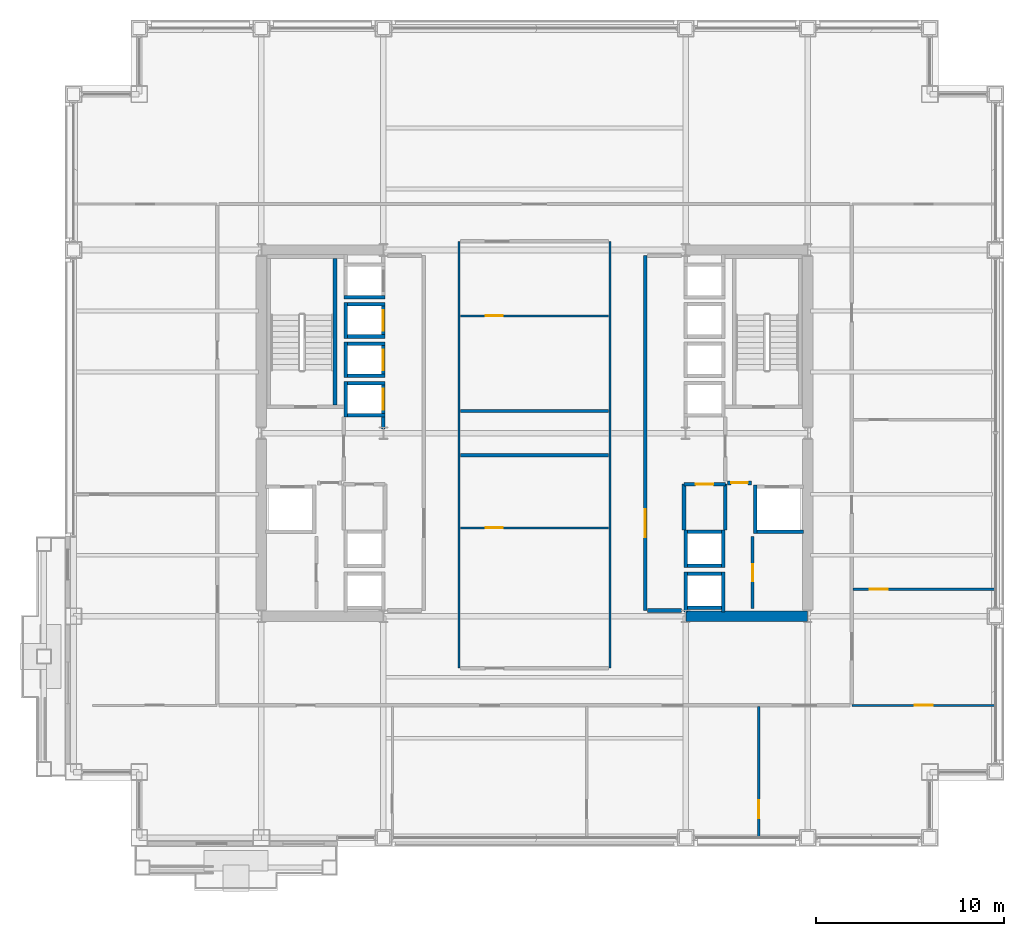
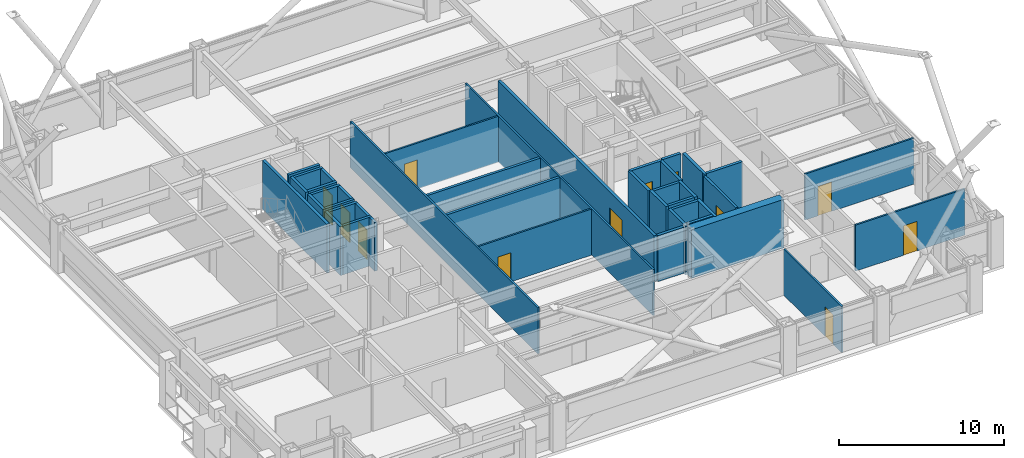
# One storey, part 26 of 30: 41 walls, 12 doors, 12 openings.
"""IFC4 building model written with IfcOpenShell, lengths in metres."""

from ifc_helpers import new_model, si_unit, direction, frame, frame_2d, origin, place, context, subcontext, project, spatial, rectangle, extrude, material, layer, layer_set, type_object, element, fill, save


model = new_model("IFC4")

# Units and contexts
model_context = context("Model", 3, precision=1e-05, world=origin(), true_north=direction((0.0, 1.0)))
body_context = subcontext(model_context, "Body", "Model", "MODEL_VIEW")
ifc_project = project(units=[si_unit("LENGTHUNIT", "METRE"), si_unit("AREAUNIT", "SQUARE_METRE"), si_unit("VOLUMEUNIT", "CUBIC_METRE"), si_unit("PLANEANGLEUNIT", "RADIAN"), si_unit("MASSUNIT", "GRAM", prefix="KILO")], contexts=[model_context])

# Site, building, storey
site_placement = place(None, origin())
site = spatial("IfcSite", under=ifc_project, at=site_placement, CompositionType="ELEMENT")
building_placement = place(site_placement, origin())
building = spatial("IfcBuilding", under=site, at=building_placement, Name="Brelmoor Portico Tower", CompositionType="ELEMENT")
storey_placement = place(building_placement, frame((0.0, 0.0, 56.39990234375)))
storey = spatial("IfcBuildingStorey", under=building, at=storey_placement, Name="L14", CompositionType="ELEMENT", Elevation=56.39990234375)

# Walls
ifc_material_1 = material(Name="Concrete C60", Category="concrete")
ifc_layer_1 = layer(ifc_material_1, 0.550048828125)
ifc_layer_set_1 = layer_set([ifc_layer_1], Name="Concrete C60")
wall_type_1 = type_object("IfcWallType", Name="WL-CORE-550", PredefinedType="SHEAR", material=ifc_layer_set_1)
wall_1_placement = place(storey_placement, frame((8.070068359375, -9.75, -0.199951171875), z_axis=(0.0, 0.0, 1.0), x_axis=(1.0, 0.0, 0.0)))
element("IfcWall", 1, at=wall_1_placement, inside=storey, type_object=wall_type_1, Name="L14 EC South Shear Wall", PredefinedType="SHEAR", context=body_context, shape_type="SweptSolid", body=[
    extrude(rectangle(XDim=6.4599609375, YDim=0.550048828125, at=frame_2d((3.22998046875, 0.0))), origin(), (0.0, 0.0, 1.0), 3.60009765625),
])
ifc_material_2 = material(Name="Lightweight Gypsum Office Partition", Category="gypsum")
ifc_layer_2 = layer(ifc_material_2, 0.1201171875)
ifc_layer_set_2 = layer_set([ifc_layer_2], Name="Lightweight Gypsum Office Partition")
wall_type_2 = type_object("IfcWallType", Name="WL-PART-120", PredefinedType="PARTITIONING", material=ifc_layer_set_2)
for number, where, z_axis, x_axis, name in (
    (2, (-4.02001953125, -12.5, 0.0), (0.0, 0.0, 1.0), (0.0, 1.0, 0.0), "L14 Central Suite West Wall"),
    (3, (4.02001953125, -12.5, 0.0), (0.0, 0.0, 1.0), (0.0, 1.0, 0.0), "L14 Central Suite East Wall"),
):
    element("IfcWall", number, at=place(storey_placement, frame(where, z_axis=z_axis, x_axis=x_axis)), inside=storey, type_object=wall_type_2, Name=name, PredefinedType="PARTITIONING", context=body_context, shape_type="SweptSolid", body=[
        extrude(rectangle(XDim=22.699951171875, YDim=0.1201171875, at=frame_2d((11.35009765625, 0.0))), origin(), (0.0, 0.0, 1.0), 3.400146484375),
    ])

# Wall, opening, door
wall_2_placement = place(storey_placement, frame((-3.949951171875, 6.239990234375, 0.0), z_axis=(0.0, 0.0, 1.0), x_axis=(1.0, 0.0, 0.0)))
wall_2 = element("IfcWall", 4, at=wall_2_placement, inside=storey, type_object=wall_type_2, Name="L14 Central Archive Divider", PredefinedType="PARTITIONING", context=body_context, shape_type="SweptSolid", body=[
    extrude(rectangle(XDim=7.89990234375, YDim=0.1201171875, at=frame_2d((3.949951171875, 0.0))), origin(), (0.0, 0.0, 1.0), 3.400146484375),
])
opening_1_placement = place(wall_2_placement, frame((1.35009765625, 0.0, 0.0)))
opening_1 = element("IfcOpeningElement", 5, at=opening_1_placement, cuts=wall_2, Name="Opening D-IN1", PredefinedType="OPENING", context=body_context, shape_type="SweptSolid", body=[
    extrude(rectangle(XDim=0.89990234375, YDim=2.14990234375, at=frame_2d((0.449951171875, 1.074951171875))), frame((0.0, 0.070068359375, 0.0), z_axis=(0.0, -1.0, 0.0), x_axis=(1.0, 0.0, 0.0)), (0.0, 0.0, 1.0), 0.14013671875),
])
ifc_material_3 = material(Name="Lacquered Timber Suite Door", Category="wood")
door_type_1 = type_object("IfcDoorType", Name="DR-INT-900", OperationType="NOTDEFINED", PredefinedType="DOOR", material=ifc_material_3)
door_1_placement = place(opening_1_placement, origin())
door_1 = element("IfcDoor", 6, at=door_1_placement, inside=storey, type_object=door_type_1, Name="D-0620 L14 Central File Room Door", OperationType="SINGLE_SWING_LEFT", OverallHeight=2.14990234375, OverallWidth=0.89990234375, PredefinedType="DOOR", context=body_context, shape_type="SweptSolid", body=[
    extrude(rectangle(XDim=0.89990234375, YDim=2.14990234375, at=frame_2d((0.449951171875, 1.074951171875))), frame((0.0, 0.02490234375, 0.0), z_axis=(0.0, -1.0, 0.0), x_axis=(1.0, 0.0, 0.0)), (0.0, 0.0, 1.0), 0.050048828125),
])
fill(opening_1, door_1)

wall_3_placement = place(storey_placement, frame((-3.949951171875, -5.050048828125, 0.0), z_axis=(0.0, 0.0, 1.0), x_axis=(1.0, 0.0, 0.0)))
wall_3 = element("IfcWall", 7, at=wall_3_placement, inside=storey, type_object=wall_type_2, Name="L14 Central Print Divider", PredefinedType="PARTITIONING", context=body_context, shape_type="SweptSolid", body=[
    extrude(rectangle(XDim=7.89990234375, YDim=0.1201171875, at=frame_2d((3.949951171875, 0.0))), origin(), (0.0, 0.0, 1.0), 3.400146484375),
])
opening_2_placement = place(wall_3_placement, frame((1.35009765625, 0.0, 0.0)))
opening_2 = element("IfcOpeningElement", 8, at=opening_2_placement, cuts=wall_3, Name="Opening D-IN1", PredefinedType="OPENING", context=body_context, shape_type="SweptSolid", body=[
    extrude(rectangle(XDim=0.89990234375, YDim=2.14990234375, at=frame_2d((0.449951171875, 1.074951171875))), frame((0.0, 0.070068359375, 0.0), z_axis=(0.0, -1.0, 0.0), x_axis=(1.0, 0.0, 0.0)), (0.0, 0.0, 1.0), 0.14013671875),
])
door_2_placement = place(opening_2_placement, origin())
door_2 = element("IfcDoor", 9, at=door_2_placement, inside=storey, type_object=door_type_1, Name="D-0622 L14 Central Print Studio Door", OperationType="SINGLE_SWING_RIGHT", OverallHeight=2.14990234375, OverallWidth=0.89990234375, PredefinedType="DOOR", context=body_context, shape_type="SweptSolid", body=[
    extrude(rectangle(XDim=0.89990234375, YDim=2.14990234375, at=frame_2d((0.449951171875, 1.074951171875))), frame((0.0, 0.02490234375, 0.0), z_axis=(0.0, -1.0, 0.0), x_axis=(1.0, 0.0, 0.0)), (0.0, 0.0, 1.0), 0.050048828125),
])
fill(opening_2, door_2)

wall_4_placement = place(storey_placement, frame((11.946044921875, -21.56005859375, 0.0), z_axis=(0.0, 0.0, 1.0), x_axis=(0.0, 1.0, 0.0)))
wall_4 = element("IfcWall", 10, at=wall_4_placement, inside=storey, type_object=wall_type_2, Name="L14 South Suite Partition 3", PredefinedType="PARTITIONING", context=body_context, shape_type="SweptSolid", body=[
    extrude(rectangle(XDim=7.0, YDim=0.1201171875, at=frame_2d((3.5, 0.0))), origin(), (0.0, 0.0, 1.0), 3.400146484375),
])
opening_3_placement = place(wall_4_placement, frame((1.050048828125, 0.0, 0.0)))
opening_3 = element("IfcOpeningElement", 11, at=opening_3_placement, cuts=wall_4, Name="Opening D-IN2", PredefinedType="OPENING", context=body_context, shape_type="SweptSolid", body=[
    extrude(rectangle(XDim=0.9599609375, YDim=2.179931640625, at=frame_2d((0.47998046875, 1.08984375))), frame((0.0, 0.070068359375, 0.0), z_axis=(0.0, -1.0, 0.0), x_axis=(1.0, 0.0, 0.0)), (0.0, 0.0, 1.0), 0.14013671875),
])
door_type_2 = type_object("IfcDoorType", Name="DR-INT-950", OperationType="NOTDEFINED", PredefinedType="DOOR", material=ifc_material_3)
door_3_placement = place(opening_3_placement, origin())
door_3 = element("IfcDoor", 12, at=door_3_placement, inside=storey, type_object=door_type_2, Name="D-0642 L14 South Suite Connecting Door 3", OperationType="SINGLE_SWING_RIGHT", OverallHeight=2.179931640625, OverallWidth=0.9599609375, PredefinedType="DOOR", context=body_context, shape_type="SweptSolid", body=[
    extrude(rectangle(XDim=0.9599609375, YDim=2.179931640625, at=frame_2d((0.47998046875, 1.08984375))), frame((0.0, 0.02490234375, 0.0), z_axis=(0.0, -1.0, 0.0), x_axis=(1.0, 0.0, 0.0)), (0.0, 0.0, 1.0), 0.050048828125),
])
fill(opening_3, door_3)

wall_5_placement = place(storey_placement, frame((16.89990234375, -14.5, 0.0), z_axis=(0.0, 0.0, 1.0), x_axis=(1.0, 0.0, 0.0)))
wall_5 = element("IfcWall", 13, at=wall_5_placement, inside=storey, type_object=wall_type_2, Name="L14 South Outer Closure ER", PredefinedType="PARTITIONING", context=body_context, shape_type="SweptSolid", body=[
    extrude(rectangle(XDim=7.66015625, YDim=0.1201171875, at=frame_2d((3.830078125, 0.0))), origin(), (0.0, 0.0, 1.0), 3.400146484375),
])
opening_4_placement = place(wall_5_placement, frame((3.35009765625, 0.0, 0.0)))
opening_4 = element("IfcOpeningElement", 14, at=opening_4_placement, cuts=wall_5, Name="Opening D-IN2", PredefinedType="OPENING", context=body_context, shape_type="SweptSolid", body=[
    extrude(rectangle(XDim=0.9599609375, YDim=2.179931640625, at=frame_2d((0.47998046875, 1.08984375))), frame((0.0, 0.070068359375, 0.0), z_axis=(0.0, -1.0, 0.0), x_axis=(1.0, 0.0, 0.0)), (0.0, 0.0, 1.0), 0.14013671875),
])
door_4_placement = place(opening_4_placement, origin())
door_4 = element("IfcDoor", 15, at=door_4_placement, inside=storey, type_object=door_type_2, Name="D-0645 L14 ER South Corner Suite Door", OperationType="SINGLE_SWING_RIGHT", OverallHeight=2.179931640625, OverallWidth=0.9599609375, PredefinedType="DOOR", context=body_context, shape_type="SweptSolid", body=[
    extrude(rectangle(XDim=0.9599609375, YDim=2.179931640625, at=frame_2d((0.47998046875, 1.08984375))), frame((0.0, 0.02490234375, 0.0), z_axis=(0.0, -1.0, 0.0), x_axis=(1.0, 0.0, 0.0)), (0.0, 0.0, 1.0), 0.050048828125),
])
fill(opening_4, door_4)

wall_6_placement = place(storey_placement, frame((16.9599609375, -8.31591796875, 0.0), z_axis=(0.0, 0.0, 1.0), x_axis=(1.0, 0.0, 0.0)))
wall_6 = element("IfcWall", 16, at=wall_6_placement, inside=storey, type_object=wall_type_2, Name="L14 E Wing Partition 1", PredefinedType="PARTITIONING", context=body_context, shape_type="SweptSolid", body=[
    extrude(rectangle(XDim=7.60009765625, YDim=0.1201171875, at=frame_2d((3.800048828125, 0.0))), origin(), (0.0, 0.0, 1.0), 3.400146484375),
])
opening_5_placement = place(wall_6_placement, frame((0.89990234375, 0.0, 0.0)))
opening_5 = element("IfcOpeningElement", 17, at=opening_5_placement, cuts=wall_6, Name="Opening D-IN2", PredefinedType="OPENING", context=body_context, shape_type="SweptSolid", body=[
    extrude(rectangle(XDim=0.9599609375, YDim=2.179931640625, at=frame_2d((0.47998046875, 1.08984375))), frame((0.0, 0.070068359375, 0.0), z_axis=(0.0, -1.0, 0.0), x_axis=(1.0, 0.0, 0.0)), (0.0, 0.0, 1.0), 0.14013671875),
])
door_5_placement = place(opening_5_placement, origin())
door_5 = element("IfcDoor", 18, at=door_5_placement, inside=storey, type_object=door_type_2, Name="D-0652 L14 E Wing Suite Connecting Door 1", OperationType="SINGLE_SWING_LEFT", OverallHeight=2.179931640625, OverallWidth=0.9599609375, PredefinedType="DOOR", context=body_context, shape_type="SweptSolid", body=[
    extrude(rectangle(XDim=0.9599609375, YDim=2.179931640625, at=frame_2d((0.47998046875, 1.08984375))), frame((0.0, 0.02490234375, 0.0), z_axis=(0.0, -1.0, 0.0), x_axis=(1.0, 0.0, 0.0)), (0.0, 0.0, 1.0), 0.050048828125),
])
fill(opening_5, door_5)

ifc_material_4 = material(Name="Twin-Frame Acoustic Partition", Category="gypsum")
ifc_layer_3 = layer(ifc_material_4, 0.159912109375)
ifc_layer_set_3 = layer_set([ifc_layer_3], Name="Twin-Frame Acoustic Partition")
wall_type_3 = type_object("IfcWallType", Name="WL-PART-160", PredefinedType="PARTITIONING", material=ifc_layer_set_3)
wall_7_placement = place(storey_placement, frame((11.6201171875, -9.35009765625, 0.0), z_axis=(0.0, 0.0, 1.0), x_axis=(0.0, 1.0, 0.0)))
wall_7 = element("IfcWall", 19, at=wall_7_placement, inside=storey, type_object=wall_type_3, Name="L14 E Core Service Front Wall", PredefinedType="PARTITIONING", context=body_context, shape_type="SweptSolid", body=[
    extrude(rectangle(XDim=3.85009765625, YDim=0.159912109375, at=frame_2d((1.925048828125, 0.0))), origin(), (0.0, 0.0, 1.0), 3.400146484375),
])
opening_6_placement = place(wall_7_placement, frame((1.47509765625, 0.0, 0.0)))
opening_6 = element("IfcOpeningElement", 20, at=opening_6_placement, cuts=wall_7, Name="Opening D-IN1", PredefinedType="OPENING", context=body_context, shape_type="SweptSolid", body=[
    extrude(rectangle(XDim=0.89990234375, YDim=2.14990234375, at=frame_2d((0.449951171875, 1.074951171875))), frame((0.0, 0.08984375, 0.0), z_axis=(0.0, -1.0, 0.0), x_axis=(1.0, 0.0, 0.0)), (0.0, 0.0, 1.0), 0.179931640625),
])
door_6_placement = place(opening_6_placement, origin())
door_6 = element("IfcDoor", 21, at=door_6_placement, inside=storey, type_object=door_type_1, Name="D-0623 L14 E Male WC Door", OperationType="SINGLE_SWING_RIGHT", OverallHeight=2.14990234375, OverallWidth=0.89990234375, PredefinedType="DOOR", context=body_context, shape_type="SweptSolid", body=[
    extrude(rectangle(XDim=0.89990234375, YDim=2.14990234375, at=frame_2d((0.449951171875, 1.074951171875))), frame((0.0, 0.02490234375, 0.0), z_axis=(0.0, -1.0, 0.0), x_axis=(1.0, 0.0, 0.0)), (0.0, 0.0, 1.0), 0.050048828125),
])
fill(opening_6, door_6)

# Walls
ifc_material_5 = material(Name="Acoustic Corridor Fire Partition", Category="gypsum")
ifc_layer_4 = layer(ifc_material_5, 0.179931640625)
ifc_layer_set_4 = layer_set([ifc_layer_4], Name="Acoustic Corridor Fire Partition")
wall_type_4 = type_object("IfcWallType", Name="WL-PART-180", PredefinedType="PARTITIONING", material=ifc_layer_set_4)
for number, where, z_axis, x_axis, name in (
    (22, (-3.949951171875, 1.179931640625, 0.0), (0.0, 0.0, 1.0), (1.0, 0.0, 0.0), "L14 Central Meeting South Wall"),
    (23, (-3.949951171875, -1.179931640625, 0.0), (0.0, 0.0, 1.0), (1.0, 0.0, 0.0), "L14 Central Pantry North Wall"),
):
    element("IfcWall", number, at=place(storey_placement, frame(where, z_axis=z_axis, x_axis=x_axis)), inside=storey, type_object=wall_type_4, Name=name, PredefinedType="PARTITIONING", context=body_context, shape_type="SweptSolid", body=[
        extrude(rectangle(XDim=7.89990234375, YDim=0.179931640625, at=frame_2d((3.949951171875, 0.0))), origin(), (0.0, 0.0, 1.0), 3.400146484375),
    ])

# Wall, opening, door
ifc_material_6 = material(Name="Double-Stud Gypsum Fire Partition", Category="gypsum")
ifc_layer_5 = layer(ifc_material_6, 0.199951171875)
ifc_layer_set_5 = layer_set([ifc_layer_5], Name="Double-Stud Gypsum Fire Partition")
wall_type_5 = type_object("IfcWallType", Name="WL-PART-200", PredefinedType="PARTITIONING", material=ifc_layer_set_5)
wall_8_placement = place(storey_placement, frame((5.89990234375, -9.449951171875, 0.0), z_axis=(0.0, 0.0, 1.0), x_axis=(0.0, 1.0, 0.0)))
wall_8 = element("IfcWall", 24, at=wall_8_placement, inside=storey, type_object=wall_type_5, Name="L14 E Core Lobby Compartment Wall", PredefinedType="PARTITIONING", context=body_context, shape_type="SweptSolid", body=[
    extrude(rectangle(XDim=18.89990234375, YDim=0.199951171875, at=frame_2d((9.449951171875, 0.0))), origin(), (0.0, 0.0, 1.0), 3.400146484375),
])
opening_7_placement = place(wall_8_placement, frame((3.89990234375, 0.0, 0.0)))
opening_7 = element("IfcOpeningElement", 25, at=opening_7_placement, cuts=wall_8, Name="Opening D-LB1", PredefinedType="OPENING", context=body_context, shape_type="SweptSolid", body=[
    extrude(rectangle(XDim=1.5, YDim=2.199951171875, at=frame_2d((0.75, 1.10009765625))), frame((0.0, 0.10986328125, 0.0), z_axis=(0.0, -1.0, 0.0), x_axis=(1.0, 0.0, 0.0)), (0.0, 0.0, 1.0), 0.219970703125),
])
ifc_material_7 = material(Name="Double-Leaf Glazed Steel Fire Door", Category="steel")
door_type_3 = type_object("IfcDoorType", Name="DR-LOBBY-1500", OperationType="NOTDEFINED", PredefinedType="DOOR", material=ifc_material_7)
door_7_placement = place(opening_7_placement, origin())
door_7 = element("IfcDoor", 26, at=door_7_placement, inside=storey, type_object=door_type_3, Name="D-0631 L14 E Lift Lobby Main Door", OperationType="DOUBLE_DOOR_SINGLE_SWING", OverallHeight=2.199951171875, OverallWidth=1.5, PredefinedType="DOOR", context=body_context, shape_type="SweptSolid", body=[
    extrude(rectangle(XDim=1.5, YDim=2.199951171875, at=frame_2d((0.75, 1.10009765625))), frame((0.0, 0.02490234375, 0.0), z_axis=(0.0, -1.0, 0.0), x_axis=(1.0, 0.0, 0.0)), (0.0, 0.0, 1.0), 0.050048828125),
])
fill(opening_7, door_7)

# Wall
wall_9_placement = place(storey_placement, frame((6.02001953125, -9.449951171875, 0.0), z_axis=(0.0, 0.0, 1.0), x_axis=(1.0, 0.0, 0.0)))
element("IfcWall", 27, at=wall_9_placement, inside=storey, type_object=wall_type_5, Name="L14 E Lift Lobby South End Wall", PredefinedType="PARTITIONING", context=body_context, shape_type="SweptSolid", body=[
    extrude(rectangle(XDim=1.800048828125, YDim=0.199951171875, at=frame_2d((0.89990234375, 0.0))), origin(), (0.0, 0.0, 1.0), 3.400146484375),
])

# Wall, opening, door
wall_10_placement = place(storey_placement, frame((10.280029296875, -2.64990234375, 0.0), z_axis=(0.0, 0.0, 1.0), x_axis=(1.0, 0.0, 0.0)))
wall_10 = element("IfcWall", 28, at=wall_10_placement, inside=storey, type_object=wall_type_5, Name="L14 E Firefighting Lobby South Wall", PredefinedType="PARTITIONING", context=body_context, shape_type="SweptSolid", body=[
    extrude(rectangle(XDim=1.27001953125, YDim=0.199951171875, at=frame_2d((0.635009765625, 0.0))), origin(), (0.0, 0.0, 1.0), 3.400146484375),
])
opening_8_placement = place(wall_10_placement, frame((0.18505859375, 0.0, 0.0)))
opening_8 = element("IfcOpeningElement", 29, at=opening_8_placement, cuts=wall_10, Name="Opening D-IN1", PredefinedType="OPENING", context=body_context, shape_type="SweptSolid", body=[
    extrude(rectangle(XDim=0.89990234375, YDim=2.14990234375, at=frame_2d((0.449951171875, 1.074951171875))), frame((0.0, 0.10986328125, 0.0), z_axis=(0.0, -1.0, 0.0), x_axis=(1.0, 0.0, 0.0)), (0.0, 0.0, 1.0), 0.219970703125),
])
door_8_placement = place(opening_8_placement, origin())
door_8 = element("IfcDoor", 30, at=door_8_placement, inside=storey, type_object=door_type_1, Name="D-0624 L14 E Core Service Vestibule Door", OperationType="SINGLE_SWING_RIGHT", OverallHeight=2.14990234375, OverallWidth=0.89990234375, PredefinedType="DOOR", context=body_context, shape_type="SweptSolid", body=[
    extrude(rectangle(XDim=0.89990234375, YDim=2.14990234375, at=frame_2d((0.449951171875, 1.074951171875))), frame((0.0, 0.02490234375, 0.0), z_axis=(0.0, -1.0, 0.0), x_axis=(1.0, 0.0, 0.0)), (0.0, 0.0, 1.0), 0.050048828125),
])
fill(opening_8, door_8)

wall_11_placement = place(storey_placement, frame((7.9599609375, -2.719970703125, 0.0), z_axis=(0.0, 0.0, 1.0), x_axis=(1.0, 0.0, 0.0)))
wall_11 = element("IfcWall", 31, at=wall_11_placement, inside=storey, type_object=wall_type_5, Name="L14 E Electrical Switchgear Closet Wall", PredefinedType="PARTITIONING", context=body_context, shape_type="SweptSolid", body=[
    extrude(rectangle(XDim=2.199951171875, YDim=0.199951171875, at=frame_2d((1.10009765625, 0.0))), origin(), (0.0, 0.0, 1.0), 3.400146484375),
])
opening_9_placement = place(wall_11_placement, frame((0.6201171875, 0.0, 0.0)))
opening_9 = element("IfcOpeningElement", 32, at=opening_9_placement, cuts=wall_11, Name="Opening D-FR4", PredefinedType="OPENING", context=body_context, shape_type="SweptSolid", body=[
    extrude(rectangle(XDim=0.949951171875, YDim=2.10009765625, at=frame_2d((0.47509765625, 1.050048828125))), frame((0.0, 0.10986328125, 0.0), z_axis=(0.0, -1.0, 0.0), x_axis=(1.0, 0.0, 0.0)), (0.0, 0.0, 1.0), 0.219970703125),
])
ifc_material_8 = material(Name="Painted Galvanised Steel Riser Door", Category="steel")
door_type_4 = type_object("IfcDoorType", Name="DR-FIRE-950", OperationType="NOTDEFINED", PredefinedType="DOOR", material=ifc_material_8)
door_9_placement = place(opening_9_placement, origin())
door_9 = element("IfcDoor", 33, at=door_9_placement, inside=storey, type_object=door_type_4, Name="D-0627 L14 E Electrical Switchgear Closet Door", OperationType="SINGLE_SWING_LEFT", OverallHeight=2.10009765625, OverallWidth=0.949951171875, PredefinedType="DOOR", context=body_context, shape_type="SweptSolid", body=[
    extrude(rectangle(XDim=0.949951171875, YDim=2.10009765625, at=frame_2d((0.47509765625, 1.050048828125))), frame((0.0, 0.02490234375, 0.0), z_axis=(0.0, -1.0, 0.0), x_axis=(1.0, 0.0, 0.0)), (0.0, 0.0, 1.0), 0.050048828125),
])
fill(opening_9, door_9)

# Walls
for number, where, z_axis, x_axis, name in (
    (34, (7.9599609375, -5.159912109375, 0.0), (0.0, 0.0, 1.0), (0.0, 1.0, 0.0), "L14 E Electrical Switchgear Closet Inner Wall"),
    (35, (10.159912109375, -5.159912109375, 0.0), (0.0, 0.0, 1.0), (0.0, 1.0, 0.0), "L14 E Electrical Switchgear Closet Outer Wall"),
):
    element("IfcWall", number, at=place(storey_placement, frame(where, z_axis=z_axis, x_axis=x_axis)), inside=storey, type_object=wall_type_5, Name=name, PredefinedType="PARTITIONING", context=body_context, shape_type="SweptSolid", body=[
        extrude(rectangle(XDim=2.43994140625, YDim=0.199951171875, at=frame_2d((1.219970703125, 0.0))), origin(), (0.0, 0.0, 1.0), 3.400146484375),
    ])

# Wall, opening, door
ifc_material_9 = material(Name="Precast Concrete C40", Category="concrete")
ifc_layer_6 = layer(ifc_material_9, 0.18994140625)
ifc_layer_set_6 = layer_set([ifc_layer_6], Name="Precast Concrete C40")
wall_type_6 = type_object("IfcWallType", Name="WL-SHAFT-180", PredefinedType="SOLIDWALL", material=ifc_layer_set_6)
wall_12_placement = place(storey_placement, frame((-8.044921875, 0.2099609375, -0.199951171875), z_axis=(0.0, 0.0, 1.0), x_axis=(0.0, 1.0, 0.0)))
wall_12 = element("IfcWall", 36, at=wall_12_placement, inside=storey, type_object=wall_type_6, Name="L14 Lift PL1 Hoistway Front Wall", PredefinedType="SOLIDWALL", context=body_context, shape_type="SweptSolid", body=[
    extrude(rectangle(XDim=2.5400390625, YDim=0.18994140625, at=frame_2d((1.27001953125, 0.0))), origin(), (0.0, 0.0, 1.0), 3.60009765625),
])
opening_10_placement = place(wall_12_placement, frame((1.0400390625, 0.0, 0.199951171875)))
opening_10 = element("IfcOpeningElement", 37, at=opening_10_placement, cuts=wall_12, Name="Opening LD-01", PredefinedType="OPENING", context=body_context, shape_type="SweptSolid", body=[
    extrude(rectangle(XDim=1.10009765625, YDim=2.199951171875, at=frame_2d((0.550048828125, 1.10009765625))), frame((0.0, 0.10498046875, 0.0), z_axis=(0.0, -1.0, 0.0), x_axis=(1.0, 0.0, 0.0)), (0.0, 0.0, 1.0), 0.2099609375),
])
ifc_material_10 = material(Name="Brushed Stainless Steel Sliding Lift Door", Category="steel")
door_type_5 = type_object("IfcDoorType", Name="DR-LIFT-1100", OperationType="NOTDEFINED", PredefinedType="DOOR", material=ifc_material_10)
door_10_placement = place(opening_10_placement, origin())
door_10 = element("IfcDoor", 38, at=door_10_placement, inside=storey, type_object=door_type_5, Name="D-0659 L14 Lift PL1 Sliding Landing Door", OperationType="SLIDING_TO_LEFT", OverallHeight=2.199951171875, OverallWidth=1.10009765625, PredefinedType="DOOR", context=body_context, shape_type="SweptSolid", body=[
    extrude(rectangle(XDim=1.10009765625, YDim=2.199951171875, at=frame_2d((0.550048828125, 1.10009765625))), frame((0.0, 0.02490234375, 0.0), z_axis=(0.0, -1.0, 0.0), x_axis=(1.0, 0.0, 0.0)), (0.0, 0.0, 1.0), 0.050048828125),
])
fill(opening_10, door_10)

# Walls
wall_13_placement = place(storey_placement, frame((-10.054931640625, 0.85009765625, -0.199951171875), z_axis=(0.0, 0.0, 1.0), x_axis=(0.0, 1.0, 0.0)))
element("IfcWall", 39, at=wall_13_placement, inside=storey, type_object=wall_type_6, Name="L14 Lift PL1 Hoistway Back Wall", PredefinedType="SOLIDWALL", context=body_context, shape_type="SweptSolid", body=[
    extrude(rectangle(XDim=1.89990234375, YDim=0.18994140625, at=frame_2d((0.949951171875, 0.0))), origin(), (0.0, 0.0, 1.0), 3.60009765625),
])
for number, where, z_axis, x_axis, name in (
    (40, (-10.14990234375, 2.655029296875, -0.199951171875), (0.0, 0.0, 1.0), (1.0, 0.0, 0.0), "L14 Lift PL1 Hoistway North Wall"),
    (41, (-10.14990234375, 0.945068359375, -0.199951171875), (0.0, 0.0, 1.0), (1.0, 0.0, 0.0), "L14 Lift PL1 Hoistway South Wall"),
):
    element("IfcWall", number, at=place(storey_placement, frame(where, z_axis=z_axis, x_axis=x_axis)), inside=storey, type_object=wall_type_6, Name=name, PredefinedType="SOLIDWALL", context=body_context, shape_type="SweptSolid", body=[
        extrude(rectangle(XDim=2.199951171875, YDim=0.18994140625, at=frame_2d((1.10009765625, 0.0))), origin(), (0.0, 0.0, 1.0), 3.60009765625),
    ])

# Wall, opening, door
wall_14_placement = place(storey_placement, frame((-8.044921875, 2.949951171875, -0.199951171875), z_axis=(0.0, 0.0, 1.0), x_axis=(0.0, 1.0, 0.0)))
wall_14 = element("IfcWall", 42, at=wall_14_placement, inside=storey, type_object=wall_type_6, Name="L14 Lift PL2 Hoistway Front Wall", PredefinedType="SOLIDWALL", context=body_context, shape_type="SweptSolid", body=[
    extrude(rectangle(XDim=1.900146484375, YDim=0.18994140625, at=frame_2d((0.9501953125, 0.0))), origin(), (0.0, 0.0, 1.0), 3.60009765625),
])
opening_11_placement = place(wall_14_placement, frame((0.39990234375, 0.0, 0.199951171875)))
opening_11 = element("IfcOpeningElement", 43, at=opening_11_placement, cuts=wall_14, Name="Opening LD-01", PredefinedType="OPENING", context=body_context, shape_type="SweptSolid", body=[
    extrude(rectangle(XDim=1.10009765625, YDim=2.199951171875, at=frame_2d((0.550048828125, 1.10009765625))), frame((0.0, 0.10498046875, 0.0), z_axis=(0.0, -1.0, 0.0), x_axis=(1.0, 0.0, 0.0)), (0.0, 0.0, 1.0), 0.2099609375),
])
door_11_placement = place(opening_11_placement, origin())
door_11 = element("IfcDoor", 44, at=door_11_placement, inside=storey, type_object=door_type_5, Name="D-0660 L14 Lift PL2 Sliding Landing Door", OperationType="SLIDING_TO_LEFT", OverallHeight=2.199951171875, OverallWidth=1.10009765625, PredefinedType="DOOR", context=body_context, shape_type="SweptSolid", body=[
    extrude(rectangle(XDim=1.10009765625, YDim=2.199951171875, at=frame_2d((0.550048828125, 1.10009765625))), frame((0.0, 0.02490234375, 0.0), z_axis=(0.0, -1.0, 0.0), x_axis=(1.0, 0.0, 0.0)), (0.0, 0.0, 1.0), 0.050048828125),
])
fill(opening_11, door_11)

# Walls
wall_15_placement = place(storey_placement, frame((-10.054931640625, 2.949951171875, -0.199951171875), z_axis=(0.0, 0.0, 1.0), x_axis=(0.0, 1.0, 0.0)))
element("IfcWall", 45, at=wall_15_placement, inside=storey, type_object=wall_type_6, Name="L14 Lift PL2 Hoistway Back Wall", PredefinedType="SOLIDWALL", context=body_context, shape_type="SweptSolid", body=[
    extrude(rectangle(XDim=1.900146484375, YDim=0.18994140625, at=frame_2d((0.9501953125, 0.0))), origin(), (0.0, 0.0, 1.0), 3.60009765625),
])
for number, where, z_axis, x_axis, name in (
    (46, (-10.14990234375, 4.7548828125, -0.199951171875), (0.0, 0.0, 1.0), (1.0, 0.0, 0.0), "L14 Lift PL2 Hoistway North Wall"),
    (47, (-10.14990234375, 3.044921875, -0.199951171875), (0.0, 0.0, 1.0), (1.0, 0.0, 0.0), "L14 Lift PL2 Hoistway South Wall"),
):
    element("IfcWall", number, at=place(storey_placement, frame(where, z_axis=z_axis, x_axis=x_axis)), inside=storey, type_object=wall_type_6, Name=name, PredefinedType="SOLIDWALL", context=body_context, shape_type="SweptSolid", body=[
        extrude(rectangle(XDim=2.199951171875, YDim=0.18994140625, at=frame_2d((1.10009765625, 0.0))), origin(), (0.0, 0.0, 1.0), 3.60009765625),
    ])

# Wall, opening, door
wall_16_placement = place(storey_placement, frame((-8.044921875, 5.050048828125, -0.199951171875), z_axis=(0.0, 0.0, 1.0), x_axis=(0.0, 1.0, 0.0)))
wall_16 = element("IfcWall", 48, at=wall_16_placement, inside=storey, type_object=wall_type_6, Name="L14 Lift PL3 Hoistway Front Wall", PredefinedType="SOLIDWALL", context=body_context, shape_type="SweptSolid", body=[
    extrude(rectangle(XDim=1.89990234375, YDim=0.18994140625, at=frame_2d((0.949951171875, 0.0))), origin(), (0.0, 0.0, 1.0), 3.60009765625),
])
opening_12_placement = place(wall_16_placement, frame((0.39990234375, 0.0, 0.199951171875)))
opening_12 = element("IfcOpeningElement", 49, at=opening_12_placement, cuts=wall_16, Name="Opening LD-01", PredefinedType="OPENING", context=body_context, shape_type="SweptSolid", body=[
    extrude(rectangle(XDim=1.10009765625, YDim=2.199951171875, at=frame_2d((0.550048828125, 1.10009765625))), frame((0.0, 0.10498046875, 0.0), z_axis=(0.0, -1.0, 0.0), x_axis=(1.0, 0.0, 0.0)), (0.0, 0.0, 1.0), 0.2099609375),
])
door_12_placement = place(opening_12_placement, origin())
door_12 = element("IfcDoor", 50, at=door_12_placement, inside=storey, type_object=door_type_5, Name="D-0661 L14 Lift PL3 Sliding Landing Door", OperationType="SLIDING_TO_LEFT", OverallHeight=2.199951171875, OverallWidth=1.10009765625, PredefinedType="DOOR", context=body_context, shape_type="SweptSolid", body=[
    extrude(rectangle(XDim=1.10009765625, YDim=2.199951171875, at=frame_2d((0.550048828125, 1.10009765625))), frame((0.0, 0.02490234375, 0.0), z_axis=(0.0, -1.0, 0.0), x_axis=(1.0, 0.0, 0.0)), (0.0, 0.0, 1.0), 0.050048828125),
])
fill(opening_12, door_12)

# Walls
wall_17_placement = place(storey_placement, frame((-10.054931640625, 5.050048828125, -0.199951171875), z_axis=(0.0, 0.0, 1.0), x_axis=(0.0, 1.0, 0.0)))
element("IfcWall", 51, at=wall_17_placement, inside=storey, type_object=wall_type_6, Name="L14 Lift PL3 Hoistway Back Wall", PredefinedType="SOLIDWALL", context=body_context, shape_type="SweptSolid", body=[
    extrude(rectangle(XDim=1.89990234375, YDim=0.18994140625, at=frame_2d((0.949951171875, 0.0))), origin(), (0.0, 0.0, 1.0), 3.60009765625),
])
for number, where, z_axis, x_axis, name in (
    (52, (-10.14990234375, 6.85498046875, -0.199951171875), (0.0, 0.0, 1.0), (1.0, 0.0, 0.0), "L14 Lift PL3 Hoistway North Wall"),
    (53, (-10.14990234375, 5.14501953125, -0.199951171875), (0.0, 0.0, 1.0), (1.0, 0.0, 0.0), "L14 Lift PL3 Hoistway South Wall"),
    (54, (-10.14990234375, 7.2451171875, -0.199951171875), (0.0, 0.0, 1.0), (1.0, 0.0, 0.0), "L14 Lift PL4 Hoistway South Wall"),
):
    element("IfcWall", number, at=place(storey_placement, frame(where, z_axis=z_axis, x_axis=x_axis)), inside=storey, type_object=wall_type_6, Name=name, PredefinedType="SOLIDWALL", context=body_context, shape_type="SweptSolid", body=[
        extrude(rectangle(XDim=2.199951171875, YDim=0.18994140625, at=frame_2d((1.10009765625, 0.0))), origin(), (0.0, 0.0, 1.0), 3.60009765625),
    ])
for number, where, z_axis, x_axis, name in (
    (55, (8.044921875, -9.52001953125, -0.199951171875), (0.0, 0.0, 1.0), (0.0, 1.0, 0.0), "L14 Lift PH3 Hoistway Front Wall"),
    (56, (10.054931640625, -9.52001953125, -0.199951171875), (0.0, 0.0, 1.0), (0.0, 1.0, 0.0), "L14 Lift PH3 Hoistway Back Wall"),
):
    element("IfcWall", number, at=place(storey_placement, frame(where, z_axis=z_axis, x_axis=x_axis)), inside=storey, type_object=wall_type_6, Name=name, PredefinedType="SOLIDWALL", context=body_context, shape_type="SweptSolid", body=[
        extrude(rectangle(XDim=2.1201171875, YDim=0.18994140625, at=frame_2d((1.06005859375, 0.0))), origin(), (0.0, 0.0, 1.0), 3.60009765625),
    ])
for number, where, z_axis, x_axis, name in (
    (57, (7.949951171875, -7.4951171875, -0.199951171875), (0.0, 0.0, 1.0), (1.0, 0.0, 0.0), "L14 Lift PH3 Hoistway North Wall"),
    (58, (7.949951171875, -9.304931640625, -0.199951171875), (0.0, 0.0, 1.0), (1.0, 0.0, 0.0), "L14 Lift PH3 Hoistway South Wall"),
):
    element("IfcWall", number, at=place(storey_placement, frame(where, z_axis=z_axis, x_axis=x_axis)), inside=storey, type_object=wall_type_6, Name=name, PredefinedType="SOLIDWALL", context=body_context, shape_type="SweptSolid", body=[
        extrude(rectangle(XDim=2.199951171875, YDim=0.18994140625, at=frame_2d((1.10009765625, 0.0))), origin(), (0.0, 0.0, 1.0), 3.60009765625),
    ])
for number, where, z_axis, x_axis, name in (
    (59, (8.044921875, -7.14990234375, -0.199951171875), (0.0, 0.0, 1.0), (0.0, 1.0, 0.0), "L14 Lift PH4 Hoistway Front Wall"),
    (60, (10.054931640625, -7.14990234375, -0.199951171875), (0.0, 0.0, 1.0), (0.0, 1.0, 0.0), "L14 Lift PH4 Hoistway Back Wall"),
):
    element("IfcWall", number, at=place(storey_placement, frame(where, z_axis=z_axis, x_axis=x_axis)), inside=storey, type_object=wall_type_6, Name=name, PredefinedType="SOLIDWALL", context=body_context, shape_type="SweptSolid", body=[
        extrude(rectangle(XDim=2.0, YDim=0.18994140625, at=frame_2d((1.0, 0.0))), origin(), (0.0, 0.0, 1.0), 3.60009765625),
    ])
for number, where, z_axis, x_axis, name in (
    (61, (7.949951171875, -5.2451171875, -0.199951171875), (0.0, 0.0, 1.0), (1.0, 0.0, 0.0), "L14 Lift PH4 Hoistway North Wall"),
    (62, (7.949951171875, -7.054931640625, -0.199951171875), (0.0, 0.0, 1.0), (1.0, 0.0, 0.0), "L14 Lift PH4 Hoistway South Wall"),
):
    element("IfcWall", number, at=place(storey_placement, frame(where, z_axis=z_axis, x_axis=x_axis)), inside=storey, type_object=wall_type_6, Name=name, PredefinedType="SOLIDWALL", context=body_context, shape_type="SweptSolid", body=[
        extrude(rectangle(XDim=2.199951171875, YDim=0.18994140625, at=frame_2d((1.10009765625, 0.0))), origin(), (0.0, 0.0, 1.0), 3.60009765625),
    ])
wall_18_placement = place(storey_placement, frame((11.64990234375, -5.2548828125, -0.199951171875), z_axis=(0.0, 0.0, 1.0), x_axis=(1.0, 0.0, 0.0)))
element("IfcWall", 63, at=wall_18_placement, inside=storey, type_object=wall_type_6, Name="L14 Firefighting Lift FF2 South Wall", PredefinedType="SOLIDWALL", context=body_context, shape_type="SweptSolid", body=[
    extrude(rectangle(XDim=2.68017578125, YDim=0.18994140625, at=frame_2d((1.340087890625, 0.0))), origin(), (0.0, 0.0, 1.0), 3.60009765625),
])
wall_19_placement = place(storey_placement, frame((11.7451171875, -5.35009765625, -0.199951171875), z_axis=(0.0, 0.0, 1.0), x_axis=(0.0, 1.0, 0.0)))
element("IfcWall", 64, at=wall_19_placement, inside=storey, type_object=wall_type_6, Name="L14 Firefighting Lift FF2 Inner Wall", PredefinedType="SOLIDWALL", context=body_context, shape_type="SweptSolid", body=[
    extrude(rectangle(XDim=2.60009765625, YDim=0.18994140625, at=frame_2d((1.300048828125, 0.0))), origin(), (0.0, 0.0, 1.0), 3.60009765625),
])
ifc_material_11 = material(Name="Concrete C40", Category="concrete")
ifc_layer_7 = layer(ifc_material_11, 0.199951171875)
ifc_layer_set_7 = layer_set([ifc_layer_7], Name="Concrete C40")
wall_type_7 = type_object("IfcWallType", Name="WL-SHAFT-RC200", PredefinedType="SOLIDWALL", material=ifc_layer_set_7)
wall_20_placement = place(storey_placement, frame((-10.6298828125, 1.5, -0.199951171875), z_axis=(0.0, 0.0, 1.0), x_axis=(0.0, 1.0, 0.0)))
element("IfcWall", 65, at=wall_20_placement, inside=storey, type_object=wall_type_7, Name="L14 ST-W Structural Stair Wall Inner", PredefinedType="SOLIDWALL", context=body_context, shape_type="SweptSolid", body=[
    extrude(rectangle(XDim=7.800048828125, YDim=0.199951171875, at=frame_2d((3.89990234375, 0.0))), origin(), (0.0, 0.0, 1.0), 3.60009765625),
])

save(model, "model.ifc")
